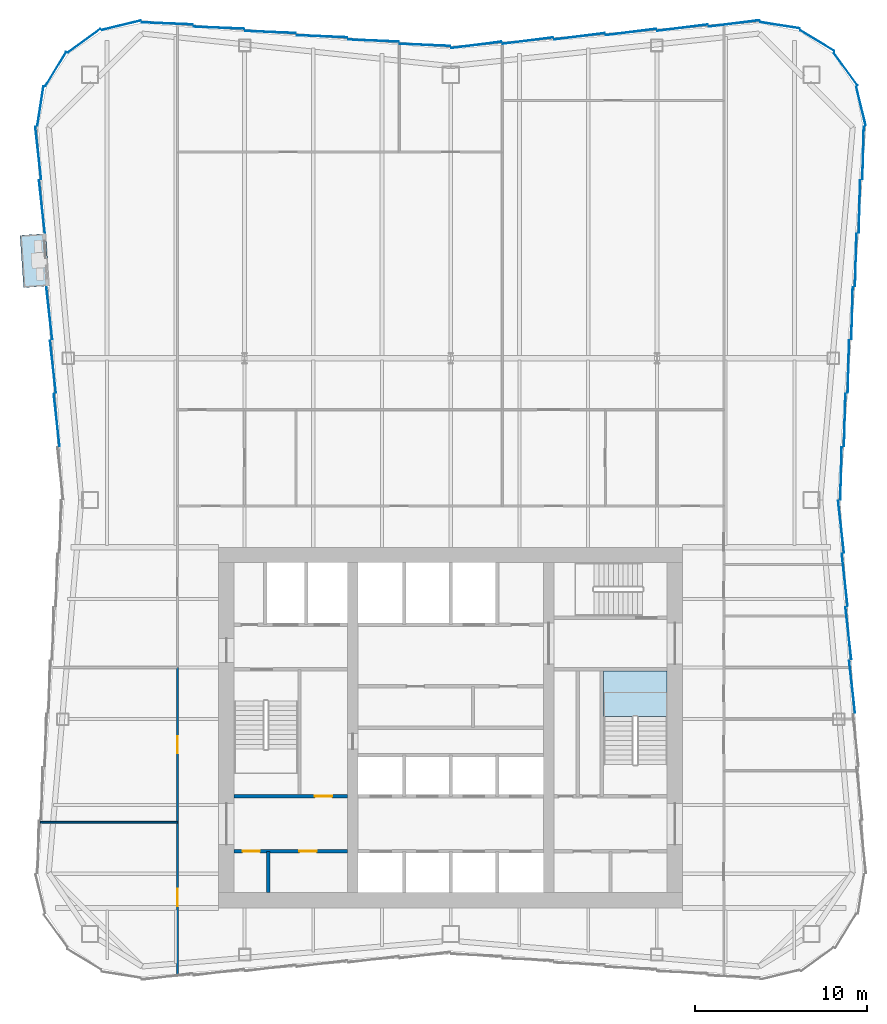
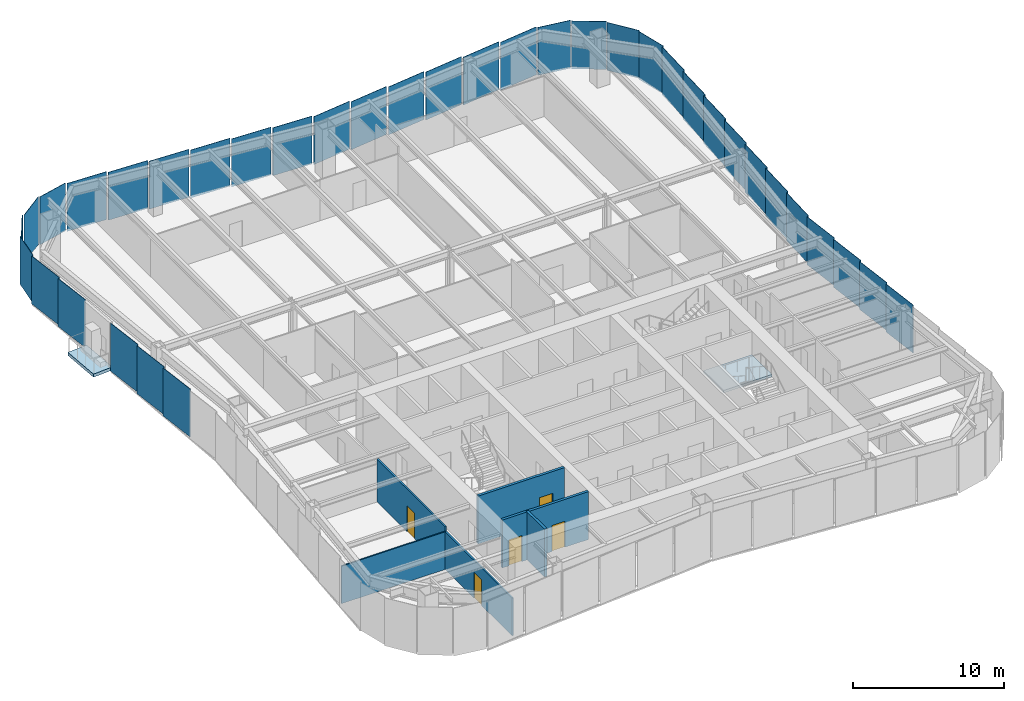
# One storey, part 4 of 10: 36 plates, 6 walls, 5 doors, 2 slabs, 5 openings, 6 elements without a shape of their own.
"""IFC4 building model written with IfcOpenShell, lengths in metres."""

from ifc_helpers import new_model, si_unit, direction, frame, frame_2d, origin, origin_2d, place, context, subcontext, project, spatial, polyline, rectangle, outline, extrude, material, layer, layer_set, type_object, element, fill, aggregate, save


model = new_model("IFC4")

# Units and contexts
model_context = context("Model", 3, precision=1e-05, world=origin(), true_north=direction((0.0, 1.0)))
body_context = subcontext(model_context, "Body", "Model", "MODEL_VIEW")
ifc_project = project(units=[si_unit("LENGTHUNIT", "METRE"), si_unit("AREAUNIT", "SQUARE_METRE"), si_unit("VOLUMEUNIT", "CUBIC_METRE"), si_unit("PLANEANGLEUNIT", "RADIAN"), si_unit("MASSUNIT", "GRAM", prefix="KILO")], contexts=[model_context])

# Site, building, storey
site_placement = place(None, origin())
site = spatial("IfcSite", under=ifc_project, at=site_placement, CompositionType="ELEMENT")
building_placement = place(site_placement, origin())
building = spatial("IfcBuilding", under=site, at=building_placement, Name="Verdant Reach Tower", CompositionType="ELEMENT")
storey_placement = place(building_placement, frame((0.0, 0.0, 214.0)))
storey = spatial("IfcBuildingStorey", under=building, at=storey_placement, Name="L49", CompositionType="ELEMENT", Elevation=214.0)

# Stair, slab
ifc_material_1 = material(Name="Concrete C40/50", Category="concrete")
stair_type = type_object("IfcStairType", Name="CO-STAIR", PredefinedType="HALF_TURN_STAIR", material=ifc_material_1)
stair_placement = place(storey_placement, origin())
stair = element("IfcStair", 1, at=stair_placement, inside=storey, type_object=stair_type, Name="L49 Exit stair 2", PredefinedType="HALF_TURN_STAIR")
ifc_layer_1 = layer(ifc_material_1, 0.199951171875)
ifc_layer_set_1 = layer_set([ifc_layer_1], Name="CO-STAIR-LANDING")
slab_type_1 = type_object("IfcSlabType", Name="CO-STAIR-LANDING", PredefinedType="LANDING", material=ifc_layer_set_1)
slab_1_placement = place(storey_placement, frame((0.0, 0.0, 1.800048828125)))
slab_1 = element("IfcSlab", 2, at=slab_1_placement, type_object=slab_type_1, Name="ST-2 landing 1", PredefinedType="LANDING", context=body_context, shape_type="SweptSolid", body=[
    extrude(outline(polyline([(12.60009765625, 28.64990234375), (12.60009765625, 31.300048828125), (8.89990234375, 31.300048828125), (8.89990234375, 28.64990234375), (12.60009765625, 28.64990234375)])), origin(), (0.0, 0.0, 1.0), 0.199951171875),
])
aggregate(stair, [slab_1])

# Slab
ifc_material_2 = material(Name="Concrete C35/45", Category="concrete")
ifc_layer_2 = layer(ifc_material_2, 0.25)
ifc_layer_set_2 = layer_set([ifc_layer_2], Name="EN-BALCONY SLAB")
slab_type_2 = type_object("IfcSlabType", Name="EN-BALCONY SLAB", PredefinedType="FLOOR", material=ifc_layer_set_2)
slab_2_placement = place(storey_placement, frame((0.0, 0.0, -0.25)))
element("IfcSlab", 3, at=slab_2_placement, inside=storey, type_object=slab_type_2, Name="Balcony slab 1, L49", PredefinedType="FLOOR", context=body_context, shape_type="SweptSolid", body=[
    extrude(outline(polyline([(-23.569091796875, 56.752685546875), (-23.359375, 53.71142578125), (-24.85595703125, 53.6083984375), (-25.065673828125, 56.649658203125), (-23.569091796875, 56.752685546875)])), origin(), (0.0, 0.0, 1.0), 0.25),
])

# Curtain wall, plates
ifc_material_3 = material(Name="Anodised aluminium", Category="aluminium")
curtain_wall_type = type_object("IfcCurtainWallType", Name="EN-CW SYSTEM Z3", PredefinedType="NOTDEFINED", material=ifc_material_3)
curtain_wall_1_placement = place(storey_placement, origin())
curtain_wall_1 = element("IfcCurtainWall", 4, at=curtain_wall_1_placement, inside=storey, type_object=curtain_wall_type, Name="Curtain wall east, L49", PredefinedType="NOTDEFINED")
ifc_material_4 = material(Name="Tinted glass with champagne spandrel", Category="glass")
ifc_layer_3 = layer(ifc_material_4, 0.031982421875)
ifc_layer_set_3 = layer_set([ifc_layer_3], Name="EN-PANEL CHAMPAGNE")
plate_type_1 = type_object("IfcPlateType", Name="EN-PANEL CHAMPAGNE", PredefinedType="CURTAIN_PANEL", material=ifc_layer_set_3)
plate_1_placement = place(storey_placement, frame((23.14453125, 33.48974609375, -0.22412109375), z_axis=(0.0, 0.0, 1.0), x_axis=(-0.110518162674, 0.993874104562, 0.0)))
plate_1 = element("IfcPlate", 5, at=plate_1_placement, type_object=plate_type_1, Name="Glass panel east face part 1 5.1, L49", PredefinedType="CURTAIN_PANEL", context=body_context, shape_type="SweptSolid", body=[
    extrude(rectangle(XDim=3.052490234375, YDim=0.031982421875, at=origin_2d()), origin(), (0.0, 0.0, 1.0), 3.8740234375),
])
plate_2_placement = place(storey_placement, frame((22.93017578125, 36.5966796875, -0.22412109375), z_axis=(0.0, 0.0, 1.0), x_axis=(-0.110518162674, 0.993874104562, 0.0)))
plate_2 = element("IfcPlate", 6, at=plate_2_placement, type_object=plate_type_1, Name="Glass panel east face part 1 6.1, L49", PredefinedType="CURTAIN_PANEL", context=body_context, shape_type="SweptSolid", body=[
    extrude(rectangle(XDim=3.052490234375, YDim=0.031982421875, at=origin_2d()), origin(), (0.0, 0.0, 1.0), 3.8740234375),
])
plate_3_placement = place(storey_placement, frame((23.787353515625, 58.331787109375, -0.22412109375), z_axis=(0.0, 0.0, 1.0), x_axis=(0.026965318308, 0.999636369691, 0.0)))
plate_3 = element("IfcPlate", 7, at=plate_3_placement, type_object=plate_type_1, Name="Glass panel east face part 2 6.1, L49", PredefinedType="CURTAIN_PANEL", context=body_context, shape_type="SweptSolid", body=[
    extrude(rectangle(XDim=3.052490234375, YDim=0.031982421875, at=origin_2d()), origin(), (0.0, 0.0, 1.0), 3.8740234375),
])
plate_4_placement = place(storey_placement, frame((24.001708984375, 61.446044921875, -0.22412109375), z_axis=(0.0, 0.0, 1.0), x_axis=(0.026659626966, 0.999644568979, 0.0)))
plate_4 = element("IfcPlate", 8, at=plate_4_placement, type_object=plate_type_1, Name="Glass panel east face part 2 7.1, L49", PredefinedType="CURTAIN_PANEL", context=body_context, shape_type="SweptSolid", body=[
    extrude(rectangle(XDim=3.06689453125, YDim=0.031982421875, at=origin_2d()), origin(), (0.0, 0.0, 1.0), 3.8740234375),
])

curtain_wall_2_placement = place(storey_placement, origin())
curtain_wall_2 = element("IfcCurtainWall", 9, at=curtain_wall_2_placement, inside=storey, type_object=curtain_wall_type, Name="Curtain wall north, L49", PredefinedType="NOTDEFINED")
plate_5_placement = place(storey_placement, frame((10.490966796875, 68.483642578125, -0.22412109375), z_axis=(0.0, 0.0, 1.0), x_axis=(-0.992194034542, -0.124703639961, 0.0)))
plate_5 = element("IfcPlate", 10, at=plate_5_placement, type_object=plate_type_1, Name="Glass panel north face part 1 3.1, L49", PredefinedType="CURTAIN_PANEL", context=body_context, shape_type="SweptSolid", body=[
    extrude(rectangle(XDim=2.948486328125, YDim=0.031982421875, at=origin_2d()), origin(), (0.0, 0.0, 1.0), 3.8740234375),
])
plate_6_placement = place(storey_placement, frame((7.490966796875, 68.233642578125, -0.22412109375), z_axis=(0.0, 0.0, 1.0), x_axis=(-0.992194034542, -0.124703639961, 0.0)))
plate_6 = element("IfcPlate", 11, at=plate_6_placement, type_object=plate_type_1, Name="Glass panel north face part 1 4.1, L49", PredefinedType="CURTAIN_PANEL", context=body_context, shape_type="SweptSolid", body=[
    extrude(rectangle(XDim=2.948486328125, YDim=0.031982421875, at=origin_2d()), origin(), (0.0, 0.0, 1.0), 3.8740234375),
])
plate_7_placement = place(storey_placement, frame((4.490966796875, 67.983642578125, -0.22412109375), z_axis=(0.0, 0.0, 1.0), x_axis=(-0.992194034542, -0.124703639961, 0.0)))
plate_7 = element("IfcPlate", 12, at=plate_7_placement, type_object=plate_type_1, Name="Glass panel north face part 1 5.1, L49", PredefinedType="CURTAIN_PANEL", context=body_context, shape_type="SweptSolid", body=[
    extrude(rectangle(XDim=2.948486328125, YDim=0.031982421875, at=origin_2d()), origin(), (0.0, 0.0, 1.0), 3.8740234375),
])
plate_8_placement = place(storey_placement, frame((-13.490966796875, 68.733642578125, -0.22412109375), z_axis=(0.0, 0.0, 1.0), x_axis=(-0.999149202059, 0.041241629766, 0.0)))
plate_8 = element("IfcPlate", 13, at=plate_8_placement, type_object=plate_type_1, Name="Glass panel north face part 2 5.1, L49", PredefinedType="CURTAIN_PANEL", context=body_context, shape_type="SweptSolid", body=[
    extrude(rectangle(XDim=2.948486328125, YDim=0.031982421875, at=origin_2d()), origin(), (0.0, 0.0, 1.0), 3.8740234375),
])
plate_9_placement = place(storey_placement, frame((-16.49853515625, 68.983642578125, -0.22412109375), z_axis=(0.0, 0.0, 1.0), x_axis=(-0.999163623568, 0.040890748818, 0.0)))
plate_9 = element("IfcPlate", 14, at=plate_9_placement, type_object=plate_type_1, Name="Glass panel north face part 2 6.1, L49", PredefinedType="CURTAIN_PANEL", context=body_context, shape_type="SweptSolid", body=[
    extrude(rectangle(XDim=2.963623046875, YDim=0.031982421875, at=origin_2d()), origin(), (0.0, 0.0, 1.0), 3.8740234375),
])

curtain_wall_3_placement = place(storey_placement, origin())
curtain_wall_3 = element("IfcCurtainWall", 15, at=curtain_wall_3_placement, inside=storey, type_object=curtain_wall_type, Name="Curtain wall north-west corner, L49", PredefinedType="NOTDEFINED")
plate_10_placement = place(storey_placement, frame((-22.98193359375, 66.328857421875, -0.22412109375), z_axis=(0.0, 0.0, 1.0), x_axis=(-0.520291550457, -0.853988701636, 0.0)))
plate_10 = element("IfcPlate", 16, at=plate_10_placement, type_object=plate_type_1, Name="Glass panel north-west corner 3.1, L49", PredefinedType="CURTAIN_PANEL", context=body_context, shape_type="SweptSolid", body=[
    extrude(rectangle(XDim=2.321533203125, YDim=0.031982421875, at=origin_2d()), origin(), (0.0, 0.0, 1.0), 3.8740234375),
])
plate_11_placement = place(storey_placement, frame((-23.87646484375, 64.17236328125, -0.22412109375), z_axis=(0.0, 0.0, 1.0), x_axis=(-0.154311870796, -0.988022189291, 0.0)))
plate_11 = element("IfcPlate", 17, at=plate_11_placement, type_object=plate_type_1, Name="Glass panel north-west corner 4.1, L49", PredefinedType="CURTAIN_PANEL", context=body_context, shape_type="SweptSolid", body=[
    extrude(rectangle(XDim=2.314697265625, YDim=0.031982421875, at=origin_2d()), origin(), (0.0, 0.0, 1.0), 3.8740234375),
])

curtain_wall_4_placement = place(storey_placement, origin())
curtain_wall_4 = element("IfcCurtainWall", 18, at=curtain_wall_4_placement, inside=storey, type_object=curtain_wall_type, Name="Curtain wall west, L49", PredefinedType="NOTDEFINED")
plate_12_placement = place(storey_placement, frame((-24.001708984375, 61.446044921875, -0.22412109375), z_axis=(0.0, 0.0, 1.0), x_axis=(0.110214229533, -0.993907854687, 0.0)))
plate_12 = element("IfcPlate", 19, at=plate_12_placement, type_object=plate_type_1, Name="Glass panel west face part 1 1.1, L49", PredefinedType="CURTAIN_PANEL", context=body_context, shape_type="SweptSolid", body=[
    extrude(rectangle(XDim=3.06689453125, YDim=0.031982421875, at=origin_2d()), origin(), (0.0, 0.0, 1.0), 3.8740234375),
])
plate_13_placement = place(storey_placement, frame((-23.787353515625, 58.331787109375, -0.22412109375), z_axis=(0.0, 0.0, 1.0), x_axis=(0.110518162674, -0.993874104562, 0.0)))
plate_13 = element("IfcPlate", 20, at=plate_13_placement, type_object=plate_type_1, Name="Glass panel west face part 1 2.1, L49", PredefinedType="CURTAIN_PANEL", context=body_context, shape_type="SweptSolid", body=[
    extrude(rectangle(XDim=3.052490234375, YDim=0.031982421875, at=origin_2d()), origin(), (0.0, 0.0, 1.0), 3.8740234375),
])

# Plate
ifc_material_5 = material(Name="Tinted glass with copper spandrel", Category="glass")
ifc_layer_4 = layer(ifc_material_5, 0.031982421875)
ifc_layer_set_4 = layer_set([ifc_layer_4], Name="EN-PANEL COPPER")
plate_type_2 = type_object("IfcPlateType", Name="EN-PANEL COPPER", PredefinedType="CURTAIN_PANEL", material=ifc_layer_set_4)
plate_14_placement = place(storey_placement, frame((22.716064453125, 39.7001953125, -0.22412109375), z_axis=(0.0, 0.0, 1.0), x_axis=(-0.110600785385, 0.993864913493, 0.0)))
plate_14 = element("IfcPlate", 21, at=plate_14_placement, type_object=plate_type_2, Name="Glass panel east face part 1 7.1, L49", PredefinedType="CURTAIN_PANEL", context=body_context, shape_type="SweptSolid", body=[
    extrude(rectangle(XDim=3.044921875, YDim=0.031982421875, at=origin_2d()), origin(), (0.0, 0.0, 1.0), 3.8740234375),
])

plate_15_placement = place(storey_placement, frame((22.716064453125, 42.7998046875, -0.22412109375), z_axis=(0.0, 0.0, 1.0), x_axis=(0.027048420339, 0.999634124546, 0.0)))
plate_15 = element("IfcPlate", 22, at=plate_15_placement, type_object=plate_type_2, Name="Glass panel east face part 2 1.1, L49", PredefinedType="CURTAIN_PANEL", context=body_context, shape_type="SweptSolid", body=[
    extrude(rectangle(XDim=3.044921875, YDim=0.031982421875, at=origin_2d()), origin(), (0.0, 0.0, 1.0), 3.8740234375),
])

plate_16_placement = place(storey_placement, frame((22.93017578125, 45.9033203125, -0.22412109375), z_axis=(0.0, 0.0, 1.0), x_axis=(0.026965318308, 0.999636369691, 0.0)))
plate_16 = element("IfcPlate", 23, at=plate_16_placement, type_object=plate_type_2, Name="Glass panel east face part 2 2.1, L49", PredefinedType="CURTAIN_PANEL", context=body_context, shape_type="SweptSolid", body=[
    extrude(rectangle(XDim=3.052490234375, YDim=0.031982421875, at=origin_2d()), origin(), (0.0, 0.0, 1.0), 3.8740234375),
])

plate_17_placement = place(storey_placement, frame((23.14453125, 49.01025390625, -0.22412109375), z_axis=(0.0, 0.0, 1.0), x_axis=(0.026965318308, 0.999636369691, 0.0)))
plate_17 = element("IfcPlate", 24, at=plate_17_placement, type_object=plate_type_2, Name="Glass panel east face part 2 3.1, L49", PredefinedType="CURTAIN_PANEL", context=body_context, shape_type="SweptSolid", body=[
    extrude(rectangle(XDim=3.052490234375, YDim=0.031982421875, at=origin_2d()), origin(), (0.0, 0.0, 1.0), 3.8740234375),
])

# Curtain wall, plate
curtain_wall_5_placement = place(storey_placement, origin())
curtain_wall_5 = element("IfcCurtainWall", 25, at=curtain_wall_5_placement, inside=storey, type_object=curtain_wall_type, Name="Curtain wall north-east corner, L49", PredefinedType="NOTDEFINED")
plate_18_placement = place(storey_placement, frame((23.87646484375, 64.17236328125, -0.22412109375), z_axis=(0.0, 0.0, 1.0), x_axis=(-0.23644624331, 0.97164457186, 0.0)))
plate_18 = element("IfcPlate", 26, at=plate_18_placement, type_object=plate_type_2, Name="Glass panel north-east corner 1.1, L49", PredefinedType="CURTAIN_PANEL", context=body_context, shape_type="SweptSolid", body=[
    extrude(rectangle(XDim=2.314697265625, YDim=0.031982421875, at=origin_2d()), origin(), (0.0, 0.0, 1.0), 3.8740234375),
])

# Plate
plate_19_placement = place(storey_placement, frame((1.495361328125, 67.73388671875, -0.22412109375), z_axis=(0.0, 0.0, 1.0), x_axis=(-0.992178382939, -0.124828107529, 0.0)))
plate_19 = element("IfcPlate", 27, at=plate_19_placement, type_object=plate_type_2, Name="Glass panel north face part 1 6.1, L49", PredefinedType="CURTAIN_PANEL", context=body_context, shape_type="SweptSolid", body=[
    extrude(rectangle(XDim=2.939453125, YDim=0.031982421875, at=origin_2d()), origin(), (0.0, 0.0, 1.0), 3.8740234375),
])

plate_20_placement = place(storey_placement, frame((-1.495361328125, 67.73388671875, -0.22412109375), z_axis=(0.0, 0.0, 1.0), x_axis=(-0.999144020525, 0.041366970501, 0.0)))
plate_20 = element("IfcPlate", 28, at=plate_20_placement, type_object=plate_type_2, Name="Glass panel north face part 2 1.1, L49", PredefinedType="CURTAIN_PANEL", context=body_context, shape_type="SweptSolid", body=[
    extrude(rectangle(XDim=2.939453125, YDim=0.031982421875, at=origin_2d()), origin(), (0.0, 0.0, 1.0), 3.8740234375),
])

plate_21_placement = place(storey_placement, frame((-23.358642578125, 52.117431640625, -0.22412109375), z_axis=(0.0, 0.0, 1.0), x_axis=(0.110518162674, -0.993874104562, 0.0)))
plate_21 = element("IfcPlate", 29, at=plate_21_placement, type_object=plate_type_2, Name="Glass panel west face part 1 4.1, L49", PredefinedType="CURTAIN_PANEL", context=body_context, shape_type="SweptSolid", body=[
    extrude(rectangle(XDim=3.052490234375, YDim=0.031982421875, at=origin_2d()), origin(), (0.0, 0.0, 1.0), 3.8740234375),
])

plate_22_placement = place(storey_placement, frame((-23.14453125, 49.01025390625, -0.22412109375), z_axis=(0.0, 0.0, 1.0), x_axis=(0.110518162674, -0.993874104562, 0.0)))
plate_22 = element("IfcPlate", 30, at=plate_22_placement, type_object=plate_type_2, Name="Glass panel west face part 1 5.1, L49", PredefinedType="CURTAIN_PANEL", context=body_context, shape_type="SweptSolid", body=[
    extrude(rectangle(XDim=3.052490234375, YDim=0.031982421875, at=origin_2d()), origin(), (0.0, 0.0, 1.0), 3.8740234375),
])

ifc_material_6 = material(Name="Tinted glass with dark bronze spandrel", Category="glass")
ifc_layer_5 = layer(ifc_material_6, 0.031982421875)
ifc_layer_set_5 = layer_set([ifc_layer_5], Name="EN-PANEL DARK")
plate_type_3 = type_object("IfcPlateType", Name="EN-PANEL DARK", PredefinedType="CURTAIN_PANEL", material=ifc_layer_set_5)
plate_23_placement = place(storey_placement, frame((23.358642578125, 30.382568359375, -0.22412109375), z_axis=(0.0, 0.0, 1.0), x_axis=(-0.110518162674, 0.993874104562, 0.0)))
plate_23 = element("IfcPlate", 31, at=plate_23_placement, type_object=plate_type_3, Name="Glass panel east face part 1 4.1, L49", PredefinedType="CURTAIN_PANEL", context=body_context, shape_type="SweptSolid", body=[
    extrude(rectangle(XDim=3.052490234375, YDim=0.031982421875, at=origin_2d()), origin(), (0.0, 0.0, 1.0), 3.8740234375),
])

plate_24_placement = place(storey_placement, frame((23.358642578125, 52.117431640625, -0.22412109375), z_axis=(0.0, 0.0, 1.0), x_axis=(0.026965318308, 0.999636369691, 0.0)))
plate_24 = element("IfcPlate", 32, at=plate_24_placement, type_object=plate_type_3, Name="Glass panel east face part 2 4.1, L49", PredefinedType="CURTAIN_PANEL", context=body_context, shape_type="SweptSolid", body=[
    extrude(rectangle(XDim=3.052490234375, YDim=0.031982421875, at=origin_2d()), origin(), (0.0, 0.0, 1.0), 3.8740234375),
])

plate_25_placement = place(storey_placement, frame((23.572998046875, 55.224609375, -0.22412109375), z_axis=(0.0, 0.0, 1.0), x_axis=(0.026965318308, 0.999636369691, 0.0)))
plate_25 = element("IfcPlate", 33, at=plate_25_placement, type_object=plate_type_3, Name="Glass panel east face part 2 5.1, L49", PredefinedType="CURTAIN_PANEL", context=body_context, shape_type="SweptSolid", body=[
    extrude(rectangle(XDim=3.052490234375, YDim=0.031982421875, at=origin_2d()), origin(), (0.0, 0.0, 1.0), 3.8740234375),
])

aggregate(curtain_wall_1, [plate_23, plate_1, plate_2, plate_14, plate_15, plate_16, plate_17, plate_24, plate_25, plate_3, plate_4])

plate_26_placement = place(storey_placement, frame((22.98193359375, 66.328857421875, -0.22412109375), z_axis=(0.0, 0.0, 1.0), x_axis=(-0.589926747542, 0.807456768214, 0.0)))
plate_26 = element("IfcPlate", 34, at=plate_26_placement, type_object=plate_type_3, Name="Glass panel north-east corner 2.1, L49", PredefinedType="CURTAIN_PANEL", context=body_context, shape_type="SweptSolid", body=[
    extrude(rectangle(XDim=2.321533203125, YDim=0.031982421875, at=origin_2d()), origin(), (0.0, 0.0, 1.0), 3.8740234375),
])

plate_27_placement = place(storey_placement, frame((21.328857421875, 67.98193359375, -0.22412109375), z_axis=(0.0, 0.0, 1.0), x_axis=(-0.853988701636, 0.520291550457, 0.0)))
plate_27 = element("IfcPlate", 35, at=plate_27_placement, type_object=plate_type_3, Name="Glass panel north-east corner 3.1, L49", PredefinedType="CURTAIN_PANEL", context=body_context, shape_type="SweptSolid", body=[
    extrude(rectangle(XDim=2.321533203125, YDim=0.031982421875, at=origin_2d()), origin(), (0.0, 0.0, 1.0), 3.8740234375),
])

plate_28_placement = place(storey_placement, frame((19.171875, 68.87646484375, -0.22412109375), z_axis=(0.0, 0.0, 1.0), x_axis=(-0.988029071555, 0.154267798848, 0.0)))
plate_28 = element("IfcPlate", 36, at=plate_28_placement, type_object=plate_type_3, Name="Glass panel north-east corner 4.1, L49", PredefinedType="CURTAIN_PANEL", context=body_context, shape_type="SweptSolid", body=[
    extrude(rectangle(XDim=2.3154296875, YDim=0.031982421875, at=origin_2d()), origin(), (0.0, 0.0, 1.0), 3.8740234375),
])

aggregate(curtain_wall_5, [plate_18, plate_26, plate_27, plate_28])

plate_29_placement = place(storey_placement, frame((16.49853515625, 68.983642578125, -0.22412109375), z_axis=(0.0, 0.0, 1.0), x_axis=(-0.992237766434, -0.124355196363, 0.0)))
plate_29 = element("IfcPlate", 37, at=plate_29_placement, type_object=plate_type_3, Name="Glass panel north face part 1 1.1, L49", PredefinedType="CURTAIN_PANEL", context=body_context, shape_type="SweptSolid", body=[
    extrude(rectangle(XDim=2.963623046875, YDim=0.031982421875, at=origin_2d()), origin(), (0.0, 0.0, 1.0), 3.8740234375),
])

plate_30_placement = place(storey_placement, frame((13.490966796875, 68.733642578125, -0.22412109375), z_axis=(0.0, 0.0, 1.0), x_axis=(-0.992194034542, -0.124703639961, 0.0)))
plate_30 = element("IfcPlate", 38, at=plate_30_placement, type_object=plate_type_3, Name="Glass panel north face part 1 2.1, L49", PredefinedType="CURTAIN_PANEL", context=body_context, shape_type="SweptSolid", body=[
    extrude(rectangle(XDim=2.948486328125, YDim=0.031982421875, at=origin_2d()), origin(), (0.0, 0.0, 1.0), 3.8740234375),
])

plate_31_placement = place(storey_placement, frame((-4.490966796875, 67.983642578125, -0.22412109375), z_axis=(0.0, 0.0, 1.0), x_axis=(-0.999149202059, 0.041241629766, 0.0)))
plate_31 = element("IfcPlate", 39, at=plate_31_placement, type_object=plate_type_3, Name="Glass panel north face part 2 2.1, L49", PredefinedType="CURTAIN_PANEL", context=body_context, shape_type="SweptSolid", body=[
    extrude(rectangle(XDim=2.948486328125, YDim=0.031982421875, at=origin_2d()), origin(), (0.0, 0.0, 1.0), 3.8740234375),
])

plate_32_placement = place(storey_placement, frame((-7.490966796875, 68.233642578125, -0.22412109375), z_axis=(0.0, 0.0, 1.0), x_axis=(-0.999149202059, 0.041241629766, 0.0)))
plate_32 = element("IfcPlate", 40, at=plate_32_placement, type_object=plate_type_3, Name="Glass panel north face part 2 3.1, L49", PredefinedType="CURTAIN_PANEL", context=body_context, shape_type="SweptSolid", body=[
    extrude(rectangle(XDim=2.948486328125, YDim=0.031982421875, at=origin_2d()), origin(), (0.0, 0.0, 1.0), 3.8740234375),
])

plate_33_placement = place(storey_placement, frame((-10.490966796875, 68.483642578125, -0.22412109375), z_axis=(0.0, 0.0, 1.0), x_axis=(-0.999149202059, 0.041241629766, 0.0)))
plate_33 = element("IfcPlate", 41, at=plate_33_placement, type_object=plate_type_3, Name="Glass panel north face part 2 4.1, L49", PredefinedType="CURTAIN_PANEL", context=body_context, shape_type="SweptSolid", body=[
    extrude(rectangle(XDim=2.948486328125, YDim=0.031982421875, at=origin_2d()), origin(), (0.0, 0.0, 1.0), 3.8740234375),
])

aggregate(curtain_wall_2, [plate_29, plate_30, plate_5, plate_6, plate_7, plate_19, plate_20, plate_31, plate_32, plate_33, plate_8, plate_9])

plate_34_placement = place(storey_placement, frame((-19.171875, 68.87646484375, -0.22412109375), z_axis=(0.0, 0.0, 1.0), x_axis=(-0.971655117833, -0.236402901821, 0.0)))
plate_34 = element("IfcPlate", 42, at=plate_34_placement, type_object=plate_type_3, Name="Glass panel north-west corner 1.1, L49", PredefinedType="CURTAIN_PANEL", context=body_context, shape_type="SweptSolid", body=[
    extrude(rectangle(XDim=2.3154296875, YDim=0.031982421875, at=origin_2d()), origin(), (0.0, 0.0, 1.0), 3.8740234375),
])

plate_35_placement = place(storey_placement, frame((-21.328857421875, 67.98193359375, -0.22412109375), z_axis=(0.0, 0.0, 1.0), x_axis=(-0.807456768214, -0.589926747542, 0.0)))
plate_35 = element("IfcPlate", 43, at=plate_35_placement, type_object=plate_type_3, Name="Glass panel north-west corner 2.1, L49", PredefinedType="CURTAIN_PANEL", context=body_context, shape_type="SweptSolid", body=[
    extrude(rectangle(XDim=2.321533203125, YDim=0.031982421875, at=origin_2d()), origin(), (0.0, 0.0, 1.0), 3.8740234375),
])

aggregate(curtain_wall_3, [plate_34, plate_35, plate_10, plate_11])

plate_36_placement = place(storey_placement, frame((-22.93017578125, 45.9033203125, -0.22412109375), z_axis=(0.0, 0.0, 1.0), x_axis=(0.110518162674, -0.993874104562, 0.0)))
plate_36 = element("IfcPlate", 44, at=plate_36_placement, type_object=plate_type_3, Name="Glass panel west face part 1 6.1, L49", PredefinedType="CURTAIN_PANEL", context=body_context, shape_type="SweptSolid", body=[
    extrude(rectangle(XDim=3.052490234375, YDim=0.031982421875, at=origin_2d()), origin(), (0.0, 0.0, 1.0), 3.8740234375),
])

aggregate(curtain_wall_4, [plate_12, plate_13, plate_21, plate_22, plate_36])

# Wall, openings, doors
ifc_material_7 = material(Name="Gypsum board on steel studs", Category="steel")
ifc_layer_6 = layer(ifc_material_7, 0.199951171875)
ifc_layer_set_6 = layer_set([ifc_layer_6], Name="CO-WALL-ROOM")
wall_type_1 = type_object("IfcWallType", Name="CO-WALL-ROOM", PredefinedType="PARTITIONING", material=ifc_layer_set_6)
wall_1_placement = place(storey_placement, frame((-12.60009765625, 20.800048828125, 0.0), z_axis=(0.0, 0.0, 1.0), x_axis=(1.0, 0.0, 0.0)))
wall_1 = element("IfcWall", 45, at=wall_1_placement, inside=storey, type_object=wall_type_1, Name="Core partition, L49", PredefinedType="PARTITIONING", context=body_context, shape_type="SweptSolid", body=[
    extrude(rectangle(XDim=6.60009765625, YDim=0.199951171875, at=frame_2d((3.300048828125, 0.0))), origin(), (0.0, 0.0, 1.0), 3.8701171875),
])
opening_1_placement = place(wall_1_placement, frame((0.489990234375, 0.0, 0.0)))
opening_1 = element("IfcOpeningElement", 46, at=opening_1_placement, cuts=wall_1, Name="Opening CD", PredefinedType="OPENING", context=body_context, shape_type="SweptSolid", body=[
    extrude(rectangle(XDim=1.0, YDim=2.10009765625, at=frame_2d((0.5, 1.050048828125))), frame((0.0, 0.10986328125, 0.0), z_axis=(0.0, -1.0, 0.0), x_axis=(1.0, 0.0, 0.0)), (0.0, 0.0, 1.0), 0.219970703125),
])
opening_2_placement = place(wall_1_placement, frame((3.7900390625, 0.0, 0.0)))
opening_2 = element("IfcOpeningElement", 47, at=opening_2_placement, cuts=wall_1, Name="Opening CD", PredefinedType="OPENING", context=body_context, shape_type="SweptSolid", body=[
    extrude(rectangle(XDim=1.0, YDim=2.10009765625, at=frame_2d((0.5, 1.050048828125))), frame((0.0, 0.10986328125, 0.0), z_axis=(0.0, -1.0, 0.0), x_axis=(1.0, 0.0, 0.0)), (0.0, 0.0, 1.0), 0.219970703125),
])
ifc_material_8 = material(Name="Timber", Category="wood")
door_type_1 = type_object("IfcDoorType", Name="CO-DOOR-ROOM", OperationType="NOTDEFINED", PredefinedType="DOOR", material=ifc_material_8)
door_1_placement = place(opening_1_placement, origin())
door_1 = element("IfcDoor", 48, at=door_1_placement, inside=storey, type_object=door_type_1, Name="Core room door, L49", OperationType="SINGLE_SWING_RIGHT", OverallHeight=2.10009765625, OverallWidth=1.0, PredefinedType="DOOR", context=body_context, shape_type="SweptSolid", body=[
    extrude(rectangle(XDim=1.0, YDim=2.10009765625, at=frame_2d((0.5, 1.050048828125))), frame((0.0, 0.02490234375, 0.0), z_axis=(0.0, -1.0, 0.0), x_axis=(1.0, 0.0, 0.0)), (0.0, 0.0, 1.0), 0.050048828125),
])
fill(opening_1, door_1)
door_2_placement = place(opening_2_placement, origin())
door_2 = element("IfcDoor", 49, at=door_2_placement, inside=storey, type_object=door_type_1, Name="Core room door, L49", OperationType="SINGLE_SWING_RIGHT", OverallHeight=2.10009765625, OverallWidth=1.0, PredefinedType="DOOR", context=body_context, shape_type="SweptSolid", body=[
    extrude(rectangle(XDim=1.0, YDim=2.10009765625, at=frame_2d((0.5, 1.050048828125))), frame((0.0, 0.02490234375, 0.0), z_axis=(0.0, -1.0, 0.0), x_axis=(1.0, 0.0, 0.0)), (0.0, 0.0, 1.0), 0.050048828125),
])
fill(opening_2, door_2)

# Wall
wall_2_placement = place(storey_placement, frame((-10.6201171875, 18.39990234375, 0.0), z_axis=(0.0, 0.0, 1.0), x_axis=(0.0, 1.0, 0.0)))
element("IfcWall", 50, at=wall_2_placement, inside=storey, type_object=wall_type_1, Name="Core partition, L49", PredefinedType="PARTITIONING", context=body_context, shape_type="SweptSolid", body=[
    extrude(rectangle(XDim=2.400146484375, YDim=0.199951171875, at=frame_2d((1.2001953125, 0.0))), origin(), (0.0, 0.0, 1.0), 3.8701171875),
])

# Wall, opening, door
ifc_layer_7 = layer(ifc_material_1, 0.199951171875)
ifc_layer_set_7 = layer_set([ifc_layer_7], Name="CO-WALL-STAIR")
wall_type_2 = type_object("IfcWallType", Name="CO-WALL-STAIR", PredefinedType="PARTITIONING", material=ifc_layer_set_7)
wall_3_placement = place(storey_placement, frame((-12.60009765625, 24.0, 0.0), z_axis=(0.0, 0.0, 1.0), x_axis=(1.0, 0.0, 0.0)))
wall_3 = element("IfcWall", 51, at=wall_3_placement, inside=storey, type_object=wall_type_2, Name="Stair enclosure wall, L49", PredefinedType="PARTITIONING", context=body_context, shape_type="SweptSolid", body=[
    extrude(rectangle(XDim=6.60009765625, YDim=0.199951171875, at=frame_2d((3.300048828125, 0.0))), origin(), (0.0, 0.0, 1.0), 3.8701171875),
])
opening_3_placement = place(wall_3_placement, frame((4.699951171875, 0.0, 0.0)))
opening_3 = element("IfcOpeningElement", 52, at=opening_3_placement, cuts=wall_3, Name="Opening CD", PredefinedType="OPENING", context=body_context, shape_type="SweptSolid", body=[
    extrude(rectangle(XDim=1.0, YDim=2.10009765625, at=frame_2d((0.5, 1.050048828125))), frame((0.0, 0.10986328125, 0.0), z_axis=(0.0, -1.0, 0.0), x_axis=(1.0, 0.0, 0.0)), (0.0, 0.0, 1.0), 0.219970703125),
])
door_3_placement = place(opening_3_placement, origin())
door_3 = element("IfcDoor", 53, at=door_3_placement, inside=storey, type_object=door_type_1, Name="Core room door, L49", OperationType="SINGLE_SWING_RIGHT", OverallHeight=2.10009765625, OverallWidth=1.0, PredefinedType="DOOR", context=body_context, shape_type="SweptSolid", body=[
    extrude(rectangle(XDim=1.0, YDim=2.10009765625, at=frame_2d((0.5, 1.050048828125))), frame((0.0, 0.02490234375, 0.0), z_axis=(0.0, -1.0, 0.0), x_axis=(1.0, 0.0, 0.0)), (0.0, 0.0, 1.0), 0.050048828125),
])
fill(opening_3, door_3)

# Wall
ifc_layer_8 = layer(ifc_material_7, 0.10009765625)
ifc_layer_set_8 = layer_set([ifc_layer_8], Name="FL-W1 Partition 100")
wall_type_3 = type_object("IfcWallType", Name="FL-W1 Partition 100", PredefinedType="PARTITIONING", material=ifc_layer_set_8)
wall_4_placement = place(storey_placement, frame((-15.89990234375, 22.5, 0.0), z_axis=(0.0, 0.0, 1.0), x_axis=(-1.0, 0.0, 0.0)))
element("IfcWall", 54, at=wall_4_placement, inside=storey, type_object=wall_type_3, Name="Partition 49.40", PredefinedType="PARTITIONING", context=body_context, shape_type="SweptSolid", body=[
    extrude(rectangle(XDim=7.97314453125, YDim=0.10009765625, at=frame_2d((3.986572265625, 0.0))), origin(), (0.0, 0.0, 1.0), 3.0400390625),
])

# Wall, opening, door
ifc_material_9 = material(Name="Gypsum board on steel studs, fire rated", Category="steel")
ifc_layer_9 = layer(ifc_material_9, 0.125)
ifc_layer_set_9 = layer_set([ifc_layer_9], Name="FL-W2 Corridor wall 125")
wall_type_4 = type_object("IfcWallType", Name="FL-W2 Corridor wall 125", PredefinedType="PARTITIONING", material=ifc_layer_set_9)
wall_5_placement = place(storey_placement, frame((-15.89990234375, 13.594970703125, 0.0), z_axis=(0.0, 0.0, 1.0), x_axis=(0.0, 1.0, 0.0)))
wall_5 = element("IfcWall", 55, at=wall_5_placement, inside=storey, type_object=wall_type_4, Name="Partition 49.07", PredefinedType="PARTITIONING", context=body_context, shape_type="SweptSolid", body=[
    extrude(rectangle(XDim=8.905029296875, YDim=0.125, at=frame_2d((4.45263671875, 0.0))), origin(), (0.0, 0.0, 1.0), 3.0400390625),
])
opening_4_placement = place(wall_5_placement, frame((4.017578125, 0.0, 0.0)))
opening_4 = element("IfcOpeningElement", 56, at=opening_4_placement, cuts=wall_5, Name="Opening D2", PredefinedType="OPENING", context=body_context, shape_type="SweptSolid", body=[
    extrude(rectangle(XDim=1.0, YDim=2.10009765625, at=frame_2d((0.5, 1.050048828125))), frame((0.0, 0.072509765625, 0.0), z_axis=(0.0, -1.0, 0.0), x_axis=(1.0, 0.0, 0.0)), (0.0, 0.0, 1.0), 0.14501953125),
])
ifc_material_10 = material(Name="Timber door leaf, fire rated", Category="wood")
door_type_2 = type_object("IfcDoorType", Name="FL-D2 Entrance door 1000x2100 FD30", OperationType="NOTDEFINED", PredefinedType="DOOR", material=ifc_material_10)
door_4_placement = place(opening_4_placement, origin())
door_4 = element("IfcDoor", 57, at=door_4_placement, inside=storey, type_object=door_type_2, Name="Door 49-005", OperationType="SINGLE_SWING_RIGHT", OverallHeight=2.10009765625, OverallWidth=1.0, PredefinedType="DOOR", context=body_context, shape_type="SweptSolid", body=[
    extrude(rectangle(XDim=1.0, YDim=2.10009765625, at=frame_2d((0.5, 1.050048828125))), frame((0.0, 0.02490234375, 0.0), z_axis=(0.0, -1.0, 0.0), x_axis=(1.0, 0.0, 0.0)), (0.0, 0.0, 1.0), 0.050048828125),
])
fill(opening_4, door_4)

wall_6_placement = place(storey_placement, frame((-15.89990234375, 22.5, 0.0), z_axis=(0.0, 0.0, 1.0), x_axis=(0.0, 1.0, 0.0)))
wall_6 = element("IfcWall", 58, at=wall_6_placement, inside=storey, type_object=wall_type_4, Name="Partition 49.08", PredefinedType="PARTITIONING", context=body_context, shape_type="SweptSolid", body=[
    extrude(rectangle(XDim=9.0, YDim=0.125, at=frame_2d((4.5, 0.0))), origin(), (0.0, 0.0, 1.0), 3.43994140625),
])
opening_5_placement = place(wall_6_placement, frame((4.0, 0.0, 0.0)))
opening_5 = element("IfcOpeningElement", 59, at=opening_5_placement, cuts=wall_6, Name="Opening D2", PredefinedType="OPENING", context=body_context, shape_type="SweptSolid", body=[
    extrude(rectangle(XDim=1.0, YDim=2.10009765625, at=frame_2d((0.5, 1.050048828125))), frame((0.0, 0.072509765625, 0.0), z_axis=(0.0, -1.0, 0.0), x_axis=(1.0, 0.0, 0.0)), (0.0, 0.0, 1.0), 0.14501953125),
])
door_5_placement = place(opening_5_placement, origin())
door_5 = element("IfcDoor", 60, at=door_5_placement, inside=storey, type_object=door_type_2, Name="Door 49-006", OperationType="SINGLE_SWING_RIGHT", OverallHeight=2.10009765625, OverallWidth=1.0, PredefinedType="DOOR", context=body_context, shape_type="SweptSolid", body=[
    extrude(rectangle(XDim=1.0, YDim=2.10009765625, at=frame_2d((0.5, 1.050048828125))), frame((0.0, 0.02490234375, 0.0), z_axis=(0.0, -1.0, 0.0), x_axis=(1.0, 0.0, 0.0)), (0.0, 0.0, 1.0), 0.050048828125),
])
fill(opening_5, door_5)

save(model, "model.ifc")
